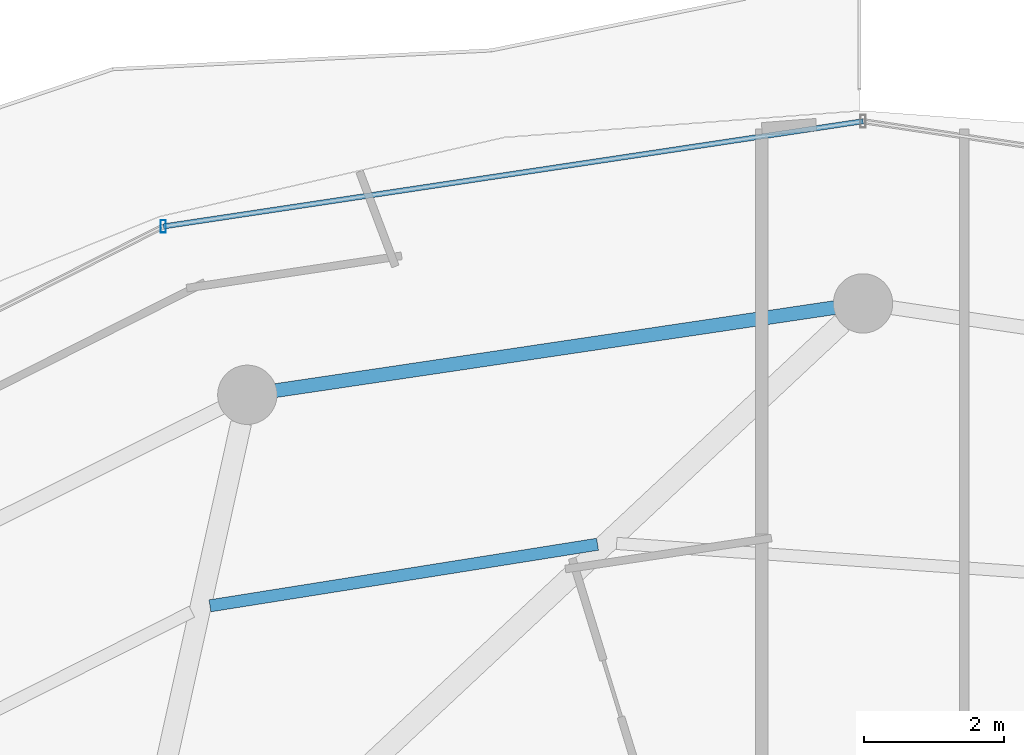
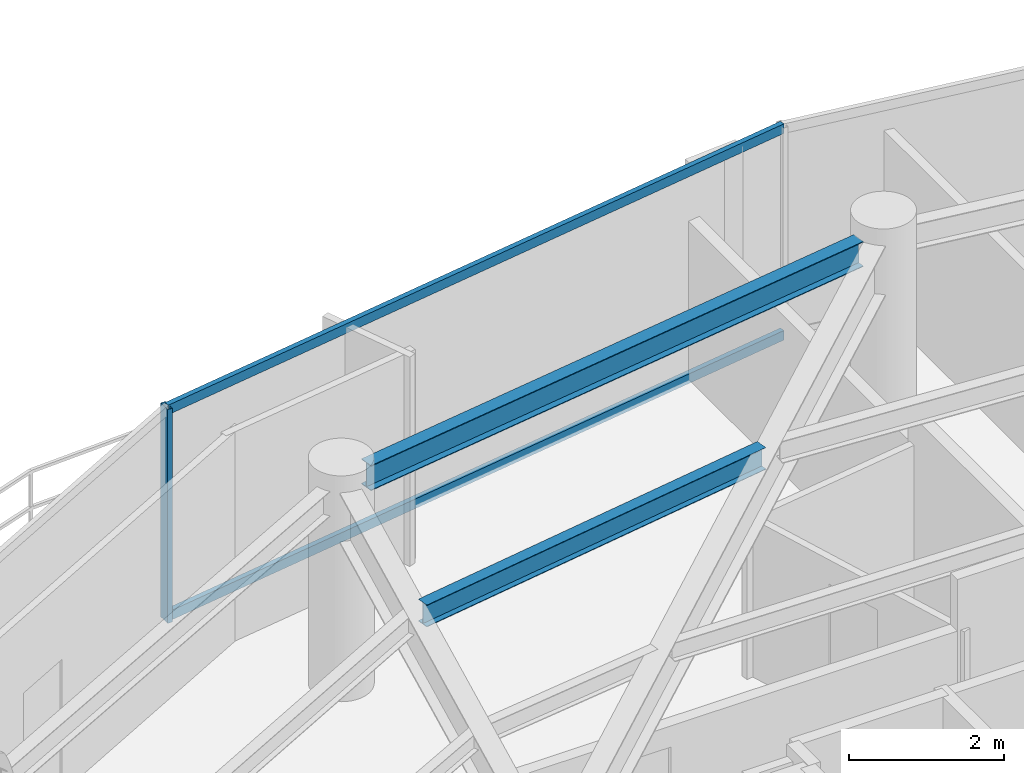
# One storey, part 17 of 30: 3 members, 2 beams, 1 element without a shape of its own.
"""IFC4 building model written with IfcOpenShell, lengths in metres."""

from ifc_helpers import new_model, si_unit, direction, frame, origin, origin_2d, place, context, subcontext, project, spatial, hollow_rectangle, i_section, extrude, material, material_profile, profile_set, type_object, element, aggregate, save


model = new_model("IFC4")

# Units and contexts
model_context = context("Model", 3, precision=1e-05, world=origin(), true_north=direction((0.0, 1.0)))
body_context = subcontext(model_context, "Body", "Model", "MODEL_VIEW")
ifc_project = project(units=[si_unit("LENGTHUNIT", "METRE"), si_unit("AREAUNIT", "SQUARE_METRE"), si_unit("VOLUMEUNIT", "CUBIC_METRE"), si_unit("PLANEANGLEUNIT", "RADIAN"), si_unit("MASSUNIT", "GRAM", prefix="KILO")], contexts=[model_context])

# Site, building, storey
site_placement = place(None, origin())
site = spatial("IfcSite", under=ifc_project, at=site_placement, CompositionType="ELEMENT")
building_placement = place(site_placement, origin())
building = spatial("IfcBuilding", under=site, at=building_placement, Name="Vorneva Point Tower", CompositionType="ELEMENT")
storey_placement = place(building_placement, frame((0.0, 0.0, 237.800048828125)))
storey = spatial("IfcBuildingStorey", under=building, at=storey_placement, Name="L64", CompositionType="ELEMENT", Elevation=237.800048828125)

# Beams
ifc_material_1 = material(Name="Steel S355", Category="steel")
ifc_material_profile_1 = material_profile(ifc_material_1, i_section(OverallWidth=0.174072265625, OverallDepth=0.345947265625, WebThickness=0.006103515625, FlangeThickness=0.009033203125, at=origin_2d()), Name="35B1")
ifc_profile_set_1 = profile_set([ifc_material_profile_1], Name="Steel S355")
beam_type_1 = type_object("IfcBeamType", Name="BM-SEC-35B1", PredefinedType="BEAM", material=ifc_profile_set_1)
beam_1_placement = place(storey_placement, frame((34.196044921875, 39.74951171875, 3.116943359375), z_axis=(-0.987609689716, -0.156930241762, 0.0), x_axis=(0.156930241762, -0.987609689716, 0.0)))
element("IfcBeam", 1, at=beam_1_placement, inside=storey, type_object=beam_type_1, Name="L64 Secondary Floor Beam 1.05", PredefinedType="BEAM", context=body_context, shape_type="SweptSolid", body=[
    extrude(i_section(OverallWidth=0.174072265625, OverallDepth=0.345947265625, WebThickness=0.006103515625, FlangeThickness=0.009033203125, at=origin_2d()), origin(), (0.0, 0.0, 1.0), 5.622314453125),
])
ifc_material_profile_2 = material_profile(ifc_material_1, i_section(OverallWidth=0.198974609375, OverallDepth=0.39599609375, WebThickness=0.007080078125, FlangeThickness=0.010986328125, at=origin_2d()), Name="40B1")
ifc_profile_set_2 = profile_set([ifc_material_profile_2], Name="Steel S355")
beam_type_2 = type_object("IfcBeamType", Name="BM-SPN-40B1", PredefinedType="SPANDREL", material=ifc_profile_set_2)
beam_2_placement = place(storey_placement, frame((37.594482421875, 43.139892578125, 3.092041015625), z_axis=(-0.989161657331, -0.146830567886, 0.0), x_axis=(0.146830567886, -0.989161657331, 0.0)))
element("IfcBeam", 2, at=beam_2_placement, inside=storey, type_object=beam_type_2, Name="L64 Perimeter Spandrel Ring Beam 05", PredefinedType="SPANDREL", context=body_context, shape_type="SweptSolid", body=[
    extrude(i_section(OverallWidth=0.198974609375, OverallDepth=0.39599609375, WebThickness=0.007080078125, FlangeThickness=0.010986328125, at=origin_2d()), origin(), (0.0, 0.0, 1.0), 8.097412109375),
])

# Curtain wall, members
ifc_material_2 = material(Name="Pale anodised aluminium", Category="aluminium")
curtain_wall_type = type_object("IfcCurtainWallType", Name="CW-RES-SYS", PredefinedType="NOTDEFINED", material=ifc_material_2)
curtain_wall_placement = place(storey_placement, origin())
curtain_wall = element("IfcCurtainWall", 3, at=curtain_wall_placement, inside=storey, type_object=curtain_wall_type, Name="L64 Unitised Curtain Wall CW-L64-R02", PredefinedType="NOTDEFINED")
ifc_material_profile_3 = material_profile(ifc_material_2, hollow_rectangle(XDim=0.074951171875, YDim=0.179931640625, WallThickness=0.00390625, at=origin_2d()), Name="AL-MUL 180x75x4")
ifc_profile_set_3 = profile_set([ifc_material_profile_3], Name="Pale anodised aluminium")
member_type_1 = type_object("IfcMemberType", Name="CW-MUL-180", PredefinedType="MULLION", material=ifc_profile_set_3)
member_1_placement = place(storey_placement, frame((27.9736328125, 44.302001953125, -0.0400390625), z_axis=(0.0, 0.0, 1.0), x_axis=(1.0, 0.0, 0.0)))
member_1 = element("IfcMember", 4, at=member_1_placement, type_object=member_type_1, Name="CW-L64-R02 Mullion 04", PredefinedType="MULLION", context=body_context, shape_type="SweptSolid", body=[
    extrude(hollow_rectangle(XDim=0.074951171875, YDim=0.179931640625, WallThickness=0.00390625, at=origin_2d()), origin(), (0.0, 0.0, 1.0), 3.360107421875),
])
ifc_material_profile_4 = material_profile(ifc_material_2, hollow_rectangle(XDim=0.074951171875, YDim=0.14990234375, WallThickness=0.00390625, at=origin_2d()), Name="AL-TRN 150x75x4")
ifc_profile_set_4 = profile_set([ifc_material_profile_4], Name="Pale anodised aluminium")
member_type_2 = type_object("IfcMemberType", Name="CW-TRN-150", PredefinedType="USERDEFINED", material=ifc_profile_set_4)
member_2_placement = place(storey_placement, frame((38.0, 45.81005859375, 0.02001953125), z_axis=(-0.988876929856, -0.148736066907, 0.0), x_axis=(0.148736066907, -0.988876929856, 0.0)))
member_2 = element("IfcMember", 5, at=member_2_placement, type_object=member_type_2, Name="CW-L64-R02 Transom 03.1", ObjectType="TRANSOM", PredefinedType="USERDEFINED", context=body_context, shape_type="SweptSolid", body=[
    extrude(hollow_rectangle(XDim=0.074951171875, YDim=0.14990234375, WallThickness=0.00390625, at=origin_2d()), origin(), (0.0, 0.0, 1.0), 10.13916015625),
])
member_3_placement = place(storey_placement, frame((38.0, 45.81005859375, 3.27001953125), z_axis=(-0.988876929856, -0.148736066907, 0.0), x_axis=(0.148736066907, -0.988876929856, 0.0)))
member_3 = element("IfcMember", 6, at=member_3_placement, type_object=member_type_2, Name="CW-L64-R02 Transom 03.2", ObjectType="TRANSOM", PredefinedType="USERDEFINED", context=body_context, shape_type="SweptSolid", body=[
    extrude(hollow_rectangle(XDim=0.074951171875, YDim=0.14990234375, WallThickness=0.00390625, at=origin_2d()), origin(), (0.0, 0.0, 1.0), 10.13916015625),
])
aggregate(curtain_wall, [member_1, member_2, member_3])

save(model, "model.ifc")
